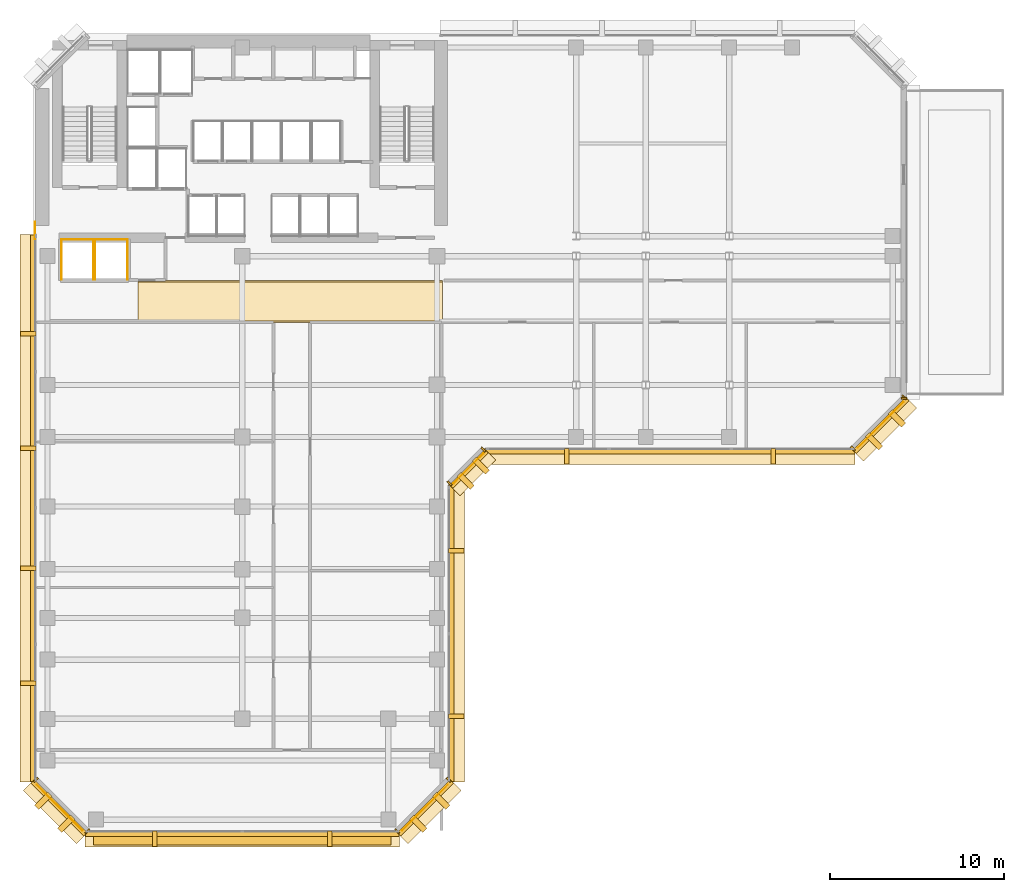
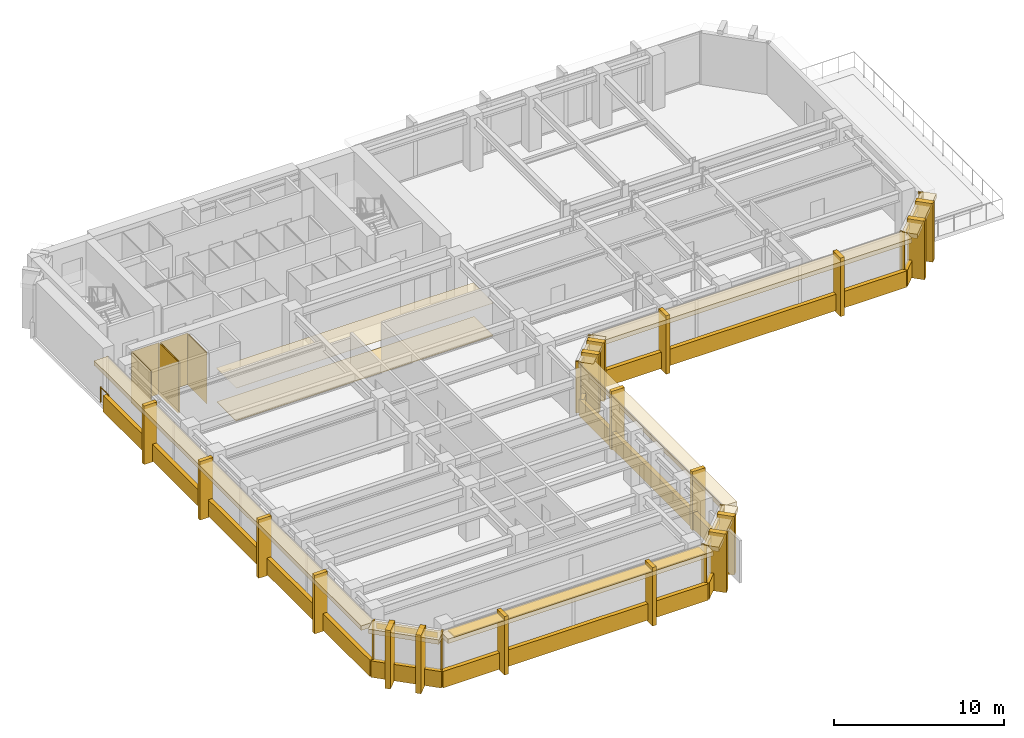
# One storey, part 9 of 12: 55 coverings, 1 railing, 1 shading device.
"""IFC4 building model written with IfcOpenShell, lengths in metres."""

from ifc_helpers import new_model, si_unit, direction, frame, origin, origin_2d, place, context, subcontext, project, spatial, polyline, rectangle, circle, outline, extrude, material, layer, layer_set, type_object, element, save


model = new_model("IFC4")

# Units and contexts
model_context = context("Model", 3, precision=1e-05, world=origin(), true_north=direction((0.0, 1.0)))
body_context = subcontext(model_context, "Body", "Model", "MODEL_VIEW")
ifc_project = project(units=[si_unit("LENGTHUNIT", "METRE"), si_unit("AREAUNIT", "SQUARE_METRE"), si_unit("VOLUMEUNIT", "CUBIC_METRE"), si_unit("PLANEANGLEUNIT", "RADIAN"), si_unit("MASSUNIT", "GRAM", prefix="KILO")], contexts=[model_context])

# Site, building, storey
site_placement = place(None, origin())
site = spatial("IfcSite", under=ifc_project, at=site_placement, CompositionType="ELEMENT")
building_placement = place(site_placement, origin())
building = spatial("IfcBuilding", under=site, at=building_placement, Name="Kefirva Bronze Tower", CompositionType="ELEMENT")
storey_placement = place(building_placement, frame((0.0, 0.0, 110.550048828125)))
storey = spatial("IfcBuildingStorey", under=building, at=storey_placement, Name="L26", CompositionType="ELEMENT", Elevation=110.550048828125)

# Coverings
ifc_material_1 = material(Name="Acoustic mineral tile")
ifc_layer_1 = layer(ifc_material_1, 0.02490234375, Name="Acoustic mineral tile")
ifc_layer_set_1 = layer_set([ifc_layer_1], Name="Acoustic mineral tile")
covering_type_1 = type_object("IfcCoveringType", Name="Acoustic Mineral Suspended Ceiling 25mm", PredefinedType="CEILING", material=ifc_layer_set_1)
covering_1_placement = place(storey_placement, frame((0.0, 0.0, 2.39990234375)))
element("IfcCovering", 1, at=covering_1_placement, inside=storey, type_object=covering_type_1, Name="L26 Corridor Acoustic Ceiling", PredefinedType="CEILING", context=body_context, shape_type="SweptSolid", body=[
    extrude(outline(polyline([(6.0, 29.39990234375), (23.5, 29.39990234375), (23.5, 31.800048828125), (6.0, 31.800048828125), (6.0, 29.39990234375)])), origin(), (0.0, 0.0, 1.0), 0.025146484375),
])
ifc_material_2 = material(Name="Bronze anodised aluminium", Category="aluminium")
ifc_layer_2 = layer(ifc_material_2, 0.02001953125, Name="Bronze anodised aluminium")
ifc_layer_set_2 = layer_set([ifc_layer_2], Name="Bronze anodised aluminium")
covering_type_2 = type_object("IfcCoveringType", Name="Anodised Bronze Spandrel Cladding 20mm", PredefinedType="CLADDING", material=ifc_layer_set_2)
covering_2_placement = place(storey_placement, frame((12.0, -0.0400390625, -0.16015625), z_axis=(0.0, 0.0, 1.0), x_axis=(1.0, 0.0, 0.0)))
element("IfcCovering", 2, at=covering_2_placement, inside=storey, type_object=covering_type_2, Name="L26 Streamline Horizontal Spandrel Band 0", PredefinedType="CLADDING", context=body_context, shape_type="SweptSolid", body=[
    extrude(rectangle(XDim=18.0400390625, YDim=0.280029296875, at=origin_2d()), origin(), (0.0, 0.0, 1.0), 1.179931640625),
])
covering_3_placement = place(storey_placement, frame((22.507080078125, 1.492919921875, 3.2900390625), z_axis=(0.0, 0.0, 1.0), x_axis=(0.707106781187, 0.707106781187, 0.0)))
element("IfcCovering", 3, at=covering_3_placement, inside=storey, type_object=covering_type_2, Name="L26 Bronze Spandrel Cladding 1", PredefinedType="CLADDING", context=body_context, shape_type="SweptSolid", body=[
    extrude(rectangle(XDim=3.719482421875, YDim=0.02001953125, at=origin_2d()), origin(), (0.0, 0.0, 1.0), 0.39990234375),
])
for number, where, z_axis, x_axis, name in (
    (4, (20.91162109375, 0.137939453125, 0.0), (0.0, 0.0, 1.0), (0.707106781187, 0.707106781187, 0.0), "L26 Facade Joint Closure Panel 1S"),
    (5, (23.862060546875, 3.08837890625, 0.0), (0.0, 0.0, 1.0), (0.707106781187, 0.707106781187, 0.0), "L26 Facade Joint Closure Panel 1E"),
):
    element("IfcCovering", number, at=place(storey_placement, frame(where, z_axis=z_axis, x_axis=x_axis)), inside=storey, type_object=covering_type_2, Name=name, PredefinedType="CLADDING", context=body_context, shape_type="SweptSolid", body=[
        extrude(rectangle(XDim=0.10009765625, YDim=0.320068359375, at=origin_2d()), origin(), (0.0, 0.0, 1.0), 3.7099609375),
    ])
covering_4_placement = place(storey_placement, frame((22.5283203125, 1.4716796875, -0.16015625), z_axis=(0.0, 0.0, 1.0), x_axis=(0.707106781187, 0.707106781187, 0.0)))
element("IfcCovering", 6, at=covering_4_placement, inside=storey, type_object=covering_type_2, Name="L26 Streamline Horizontal Spandrel Band 1", PredefinedType="CLADDING", context=body_context, shape_type="SweptSolid", body=[
    extrude(rectangle(XDim=4.28271484375, YDim=0.280029296875, at=origin_2d()), origin(), (0.0, 0.0, 1.0), 1.179931640625),
])
covering_5_placement = place(storey_placement, frame((24.0400390625, 11.5, -0.16015625), z_axis=(0.0, 0.0, 1.0), x_axis=(0.0, 1.0, 0.0)))
element("IfcCovering", 7, at=covering_5_placement, inside=storey, type_object=covering_type_2, Name="L26 Streamline Horizontal Spandrel Band 2", PredefinedType="CLADDING", context=body_context, shape_type="SweptSolid", body=[
    extrude(rectangle(XDim=17.0400390625, YDim=0.280029296875, at=origin_2d()), origin(), (0.0, 0.0, 1.0), 1.179931640625),
])
covering_6_placement = place(storey_placement, frame((25.007080078125, 20.992919921875, 3.2900390625), z_axis=(0.0, 0.0, 1.0), x_axis=(0.707106781187, 0.707106781187, 0.0)))
element("IfcCovering", 8, at=covering_6_placement, inside=storey, type_object=covering_type_2, Name="L26 Bronze Spandrel Cladding 2", PredefinedType="CLADDING", context=body_context, shape_type="SweptSolid", body=[
    extrude(rectangle(XDim=2.446533203125, YDim=0.02001953125, at=origin_2d()), origin(), (0.0, 0.0, 1.0), 0.39990234375),
])
for number, where, z_axis, x_axis, name in (
    (9, (23.91162109375, 20.137939453125, 0.0), (0.0, 0.0, 1.0), (0.707106781187, 0.707106781187, 0.0), "L26 Facade Joint Closure Panel 2S"),
    (10, (25.862060546875, 22.08837890625, 0.0), (0.0, 0.0, 1.0), (0.707106781187, 0.707106781187, 0.0), "L26 Facade Joint Closure Panel 2E"),
):
    element("IfcCovering", number, at=place(storey_placement, frame(where, z_axis=z_axis, x_axis=x_axis)), inside=storey, type_object=covering_type_2, Name=name, PredefinedType="CLADDING", context=body_context, shape_type="SweptSolid", body=[
        extrude(rectangle(XDim=0.10009765625, YDim=0.320068359375, at=origin_2d()), origin(), (0.0, 0.0, 1.0), 3.7099609375),
    ])
covering_7_placement = place(storey_placement, frame((25.0283203125, 20.9716796875, -0.16015625), z_axis=(0.0, 0.0, 1.0), x_axis=(0.707106781187, 0.707106781187, 0.0)))
element("IfcCovering", 11, at=covering_7_placement, inside=storey, type_object=covering_type_2, Name="L26 Streamline Horizontal Spandrel Band 3", PredefinedType="CLADDING", context=body_context, shape_type="SweptSolid", body=[
    extrude(rectangle(XDim=2.868408203125, YDim=0.280029296875, at=origin_2d()), origin(), (0.0, 0.0, 1.0), 1.179931640625),
])
covering_8_placement = place(storey_placement, frame((36.60009765625, 21.9599609375, -0.16015625), z_axis=(0.0, 0.0, 1.0), x_axis=(1.0, 0.0, 0.0)))
element("IfcCovering", 12, at=covering_8_placement, inside=storey, type_object=covering_type_2, Name="L26 Streamline Horizontal Spandrel Band 4", PredefinedType="CLADDING", context=body_context, shape_type="SweptSolid", body=[
    extrude(rectangle(XDim=21.239990234375, YDim=0.280029296875, at=origin_2d()), origin(), (0.0, 0.0, 1.0), 1.179931640625),
])
covering_9_placement = place(storey_placement, frame((48.70703125, 23.492919921875, 3.2900390625), z_axis=(0.0, 0.0, 1.0), x_axis=(0.707106781187, 0.707106781187, 0.0)))
element("IfcCovering", 13, at=covering_9_placement, inside=storey, type_object=covering_type_2, Name="L26 Bronze Spandrel Cladding 3", PredefinedType="CLADDING", context=body_context, shape_type="SweptSolid", body=[
    extrude(rectangle(XDim=3.719482421875, YDim=0.02001953125, at=origin_2d()), origin(), (0.0, 0.0, 1.0), 0.39990234375),
])
for number, where, z_axis, x_axis, name in (
    (14, (47.11181640625, 22.137939453125, 0.0), (0.0, 0.0, 1.0), (0.707106781187, 0.707106781187, 0.0), "L26 Facade Joint Closure Panel 3S"),
    (15, (50.06201171875, 25.08837890625, 0.0), (0.0, 0.0, 1.0), (0.707106781187, 0.707106781187, 0.0), "L26 Facade Joint Closure Panel 3E"),
):
    element("IfcCovering", number, at=place(storey_placement, frame(where, z_axis=z_axis, x_axis=x_axis)), inside=storey, type_object=covering_type_2, Name=name, PredefinedType="CLADDING", context=body_context, shape_type="SweptSolid", body=[
        extrude(rectangle(XDim=0.10009765625, YDim=0.320068359375, at=origin_2d()), origin(), (0.0, 0.0, 1.0), 3.7099609375),
    ])
covering_10_placement = place(storey_placement, frame((48.728271484375, 23.4716796875, -0.16015625), z_axis=(0.0, 0.0, 1.0), x_axis=(0.707106781187, 0.707106781187, 0.0)))
element("IfcCovering", 16, at=covering_10_placement, inside=storey, type_object=covering_type_2, Name="L26 Streamline Horizontal Spandrel Band 5", PredefinedType="CLADDING", context=body_context, shape_type="SweptSolid", body=[
    extrude(rectangle(XDim=4.28271484375, YDim=0.280029296875, at=origin_2d()), origin(), (0.0, 0.0, 1.0), 1.179931640625),
])
covering_11_placement = place(storey_placement, frame((50.0400390625, 25.034912109375, 0.0), z_axis=(0.0, 0.0, 1.0), x_axis=(0.0, 1.0, 0.0)))
element("IfcCovering", 17, at=covering_11_placement, inside=storey, type_object=covering_type_2, Name="L26 Facade Joint Closure Panel 4S", PredefinedType="CLADDING", context=body_context, shape_type="SweptSolid", body=[
    extrude(rectangle(XDim=0.10009765625, YDim=0.320068359375, at=origin_2d()), origin(), (0.0, 0.0, 1.0), 3.7099609375),
])
covering_12_placement = place(storey_placement, frame((-0.0400390625, 18.697509765625, -0.16015625), z_axis=(0.0, 0.0, 1.0), x_axis=(0.0, -1.0, 0.0)))
element("IfcCovering", 18, at=covering_12_placement, inside=storey, type_object=covering_type_2, Name="L26 Streamline Horizontal Spandrel Band 10", PredefinedType="CLADDING", context=body_context, shape_type="SweptSolid", body=[
    extrude(rectangle(XDim=31.43505859375, YDim=0.280029296875, at=origin_2d()), origin(), (0.0, 0.0, 1.0), 1.179931640625),
])
covering_13_placement = place(storey_placement, frame((1.492919921875, 1.492919921875, 3.2900390625), z_axis=(0.0, 0.0, 1.0), x_axis=(0.707106781187, -0.707106781187, 0.0)))
element("IfcCovering", 19, at=covering_13_placement, inside=storey, type_object=covering_type_2, Name="L26 Bronze Spandrel Cladding 7", PredefinedType="CLADDING", context=body_context, shape_type="SweptSolid", body=[
    extrude(rectangle(XDim=3.719482421875, YDim=0.02001953125, at=origin_2d()), origin(), (0.0, 0.0, 1.0), 0.39990234375),
])
for number, where, z_axis, x_axis, name in (
    (20, (0.137939453125, 3.08837890625, 0.0), (0.0, 0.0, 1.0), (0.707106781187, -0.707106781187, 0.0), "L26 Facade Joint Closure Panel 7S"),
    (21, (3.08837890625, 0.137939453125, 0.0), (0.0, 0.0, 1.0), (0.707106781187, -0.707106781187, 0.0), "L26 Facade Joint Closure Panel 7E"),
):
    element("IfcCovering", number, at=place(storey_placement, frame(where, z_axis=z_axis, x_axis=x_axis)), inside=storey, type_object=covering_type_2, Name=name, PredefinedType="CLADDING", context=body_context, shape_type="SweptSolid", body=[
        extrude(rectangle(XDim=0.10009765625, YDim=0.320068359375, at=origin_2d()), origin(), (0.0, 0.0, 1.0), 3.7099609375),
    ])
covering_14_placement = place(storey_placement, frame((1.4716796875, 1.4716796875, -0.16015625), z_axis=(0.0, 0.0, 1.0), x_axis=(0.707106781187, -0.707106781187, 0.0)))
element("IfcCovering", 22, at=covering_14_placement, inside=storey, type_object=covering_type_2, Name="L26 Streamline Horizontal Spandrel Band 11", PredefinedType="CLADDING", context=body_context, shape_type="SweptSolid", body=[
    extrude(rectangle(XDim=4.28271484375, YDim=0.280029296875, at=origin_2d()), origin(), (0.0, 0.0, 1.0), 1.179931640625),
])
covering_15_placement = place(storey_placement, origin())
element("IfcCovering", 23, at=covering_15_placement, inside=storey, type_object=covering_type_2, Name="L26 Lift OB1 Hoistway Liner N", PredefinedType="CLADDING", context=body_context, shape_type="SweptSolid", body=[
    extrude(outline(polyline([(1.580078125, 34.139892578125), (3.469970703125, 34.139892578125), (3.469970703125, 34.159912109375), (1.580078125, 34.159912109375), (1.580078125, 34.139892578125)])), origin(), (0.0, 0.0, 1.0), 3.7099609375),
])
covering_16_placement = place(storey_placement, origin())
element("IfcCovering", 24, at=covering_16_placement, inside=storey, type_object=covering_type_2, Name="L26 Lift OB1 Hoistway Liner W", PredefinedType="CLADDING", context=body_context, shape_type="SweptSolid", body=[
    extrude(outline(polyline([(1.590087890625, 31.830078125), (1.610107421875, 31.830078125), (1.610107421875, 34.169921875), (1.590087890625, 34.169921875), (1.590087890625, 31.830078125)])), origin(), (0.0, 0.0, 1.0), 3.7099609375),
])
covering_17_placement = place(storey_placement, origin())
element("IfcCovering", 25, at=covering_17_placement, inside=storey, type_object=covering_type_2, Name="L26 Lift OB1 Hoistway Liner E", PredefinedType="CLADDING", context=body_context, shape_type="SweptSolid", body=[
    extrude(outline(polyline([(3.43994140625, 31.830078125), (3.4599609375, 31.830078125), (3.4599609375, 34.169921875), (3.43994140625, 34.169921875), (3.43994140625, 31.830078125)])), origin(), (0.0, 0.0, 1.0), 3.7099609375),
])
covering_18_placement = place(storey_placement, origin())
element("IfcCovering", 26, at=covering_18_placement, inside=storey, type_object=covering_type_2, Name="L26 Lift OB2 Hoistway Liner N", PredefinedType="CLADDING", context=body_context, shape_type="SweptSolid", body=[
    extrude(outline(polyline([(3.530029296875, 34.139892578125), (5.419921875, 34.139892578125), (5.419921875, 34.159912109375), (3.530029296875, 34.159912109375), (3.530029296875, 34.139892578125)])), origin(), (0.0, 0.0, 1.0), 3.7099609375),
])
covering_19_placement = place(storey_placement, origin())
element("IfcCovering", 27, at=covering_19_placement, inside=storey, type_object=covering_type_2, Name="L26 Lift OB2 Hoistway Liner W", PredefinedType="CLADDING", context=body_context, shape_type="SweptSolid", body=[
    extrude(outline(polyline([(3.5400390625, 31.830078125), (3.56005859375, 31.830078125), (3.56005859375, 34.169921875), (3.5400390625, 34.169921875), (3.5400390625, 31.830078125)])), origin(), (0.0, 0.0, 1.0), 3.7099609375),
])
covering_20_placement = place(storey_placement, origin())
element("IfcCovering", 28, at=covering_20_placement, inside=storey, type_object=covering_type_2, Name="L26 Lift OB2 Hoistway Liner E", PredefinedType="CLADDING", context=body_context, shape_type="SweptSolid", body=[
    extrude(outline(polyline([(5.389892578125, 31.830078125), (5.409912109375, 31.830078125), (5.409912109375, 34.169921875), (5.389892578125, 34.169921875), (5.389892578125, 31.830078125)])), origin(), (0.0, 0.0, 1.0), 3.7099609375),
])

# Shading device
ifc_layer_3 = layer(ifc_material_2, 0.090087890625, Name="Bronze anodised aluminium")
ifc_layer_set_3 = layer_set([ifc_layer_3], Name="Bronze anodised aluminium")
shading_device_type = type_object("IfcShadingDeviceType", Name="Horizontal Bronze Sunshade Band 750mm", PredefinedType="JALOUSIE", material=ifc_layer_set_3)
shading_device_placement = place(storey_placement, frame((12.0, -0.294921875, 3.60498046875), z_axis=(0.0, 0.0, 1.0), x_axis=(1.0, 0.0, 0.0)))
element("IfcShadingDevice", 29, at=shading_device_placement, inside=storey, type_object=shading_device_type, Name="L26 Horizontal Bronze Sunshade Band 0", PredefinedType="JALOUSIE", context=body_context, shape_type="SweptSolid", body=[
    extrude(rectangle(XDim=17.090087890625, YDim=0.75, at=origin_2d()), origin(), (0.0, 0.0, 1.0), 0.090087890625),
])

# Railing
ifc_material_3 = material(Name="Stainless steel 316", Category="steel")
railing_type = type_object("IfcRailingType", Name="Interior Stair Guardrail 1100mm", PredefinedType="GUARDRAIL", material=ifc_material_3)
railing_placement = place(storey_placement, frame((0.080078125, 34.199951171875, 0.0)))
element("IfcRailing", 30, at=railing_placement, inside=storey, type_object=railing_type, Name="L26 West Core Junction Guardrail", PredefinedType="GUARDRAIL", context=body_context, shape_type="SweptSolid", body=[
    extrude(circle(Radius=0.02392578125, at=origin_2d()), frame((0.0, 0.0, 1.076171875), z_axis=(0.0, 1.0, 0.0), x_axis=(-1.0, 0.0, 0.0)), (0.0, 0.0, 1.0), 0.949951171875),
    extrude(circle(Radius=0.02099609375, at=origin_2d()), origin(), (0.0, 0.0, 1.0), 1.052001953125),
    extrude(circle(Radius=0.02099609375, at=origin_2d()), frame((0.0, 0.949951171875, 0.0)), (0.0, 0.0, 1.0), 1.052001953125),
])

# Coverings
ifc_material_4 = material(Name="Calcium sulphate access tile")
ifc_layer_4 = layer(ifc_material_4, 0.044921875, Name="Calcium sulphate access tile")
ifc_layer_set_4 = layer_set([ifc_layer_4], Name="Calcium sulphate access tile")
covering_type_3 = type_object("IfcCoveringType", Name="Raised Access Office Flooring 45mm", PredefinedType="FLOORING", material=ifc_layer_set_4)
covering_21_placement = place(storey_placement, origin())
element("IfcCovering", 31, at=covering_21_placement, inside=storey, type_object=covering_type_3, Name="L26 Architectural Finish Flooring", PredefinedType="FLOORING", context=body_context, shape_type="SweptSolid", body=[
    extrude(outline(polyline([(6.0, 29.47998046875), (23.5, 29.47998046875), (23.5, 31.719970703125), (6.0, 31.719970703125), (6.0, 29.47998046875)])), origin(), (0.0, 0.0, 1.0), 0.044921875),
])
ifc_layer_5 = layer(ifc_material_2, 0.179931640625, Name="Bronze anodised aluminium")
ifc_layer_set_5 = layer_set([ifc_layer_5], Name="Bronze anodised aluminium")
covering_type_4 = type_object("IfcCoveringType", Name="Streamline Bronze Sunshade Eyebrow Cladding 180mm", PredefinedType="CLADDING", material=ifc_layer_set_5)
covering_22_placement = place(storey_placement, frame((12.0, -0.31005859375, 3.39013671875), z_axis=(0.0, 0.0, 1.0), x_axis=(1.0, 0.0, 0.0)))
element("IfcCovering", 32, at=covering_22_placement, inside=storey, type_object=covering_type_4, Name="L26 Streamline Bronze Sunshade Eyebrow 0", PredefinedType="CLADDING", context=body_context, shape_type="SweptSolid", body=[
    extrude(rectangle(XDim=18.080078125, YDim=0.93994140625, at=origin_2d()), origin(), (0.0, 0.0, 1.0), 0.320068359375),
])
covering_23_placement = place(storey_placement, frame((22.71923828125, 1.28076171875, 3.39013671875), z_axis=(0.0, 0.0, 1.0), x_axis=(0.707106781187, 0.707106781187, 0.0)))
element("IfcCovering", 33, at=covering_23_placement, inside=storey, type_object=covering_type_4, Name="L26 Streamline Bronze Sunshade Eyebrow 1", PredefinedType="CLADDING", context=body_context, shape_type="SweptSolid", body=[
    extrude(rectangle(XDim=4.322509765625, YDim=0.93994140625, at=origin_2d()), origin(), (0.0, 0.0, 1.0), 0.320068359375),
])
covering_24_placement = place(storey_placement, frame((24.31005859375, 11.5, 3.39013671875), z_axis=(0.0, 0.0, 1.0), x_axis=(0.0, 1.0, 0.0)))
element("IfcCovering", 34, at=covering_24_placement, inside=storey, type_object=covering_type_4, Name="L26 Streamline Bronze Sunshade Eyebrow 2", PredefinedType="CLADDING", context=body_context, shape_type="SweptSolid", body=[
    extrude(rectangle(XDim=17.080078125, YDim=0.93994140625, at=origin_2d()), origin(), (0.0, 0.0, 1.0), 0.320068359375),
])
covering_25_placement = place(storey_placement, frame((25.21923828125, 20.78076171875, 3.39013671875), z_axis=(0.0, 0.0, 1.0), x_axis=(0.707106781187, 0.707106781187, 0.0)))
element("IfcCovering", 35, at=covering_25_placement, inside=storey, type_object=covering_type_4, Name="L26 Streamline Bronze Sunshade Eyebrow 3", PredefinedType="CLADDING", context=body_context, shape_type="SweptSolid", body=[
    extrude(rectangle(XDim=2.908447265625, YDim=0.93994140625, at=origin_2d()), origin(), (0.0, 0.0, 1.0), 0.320068359375),
])
covering_26_placement = place(storey_placement, frame((36.60009765625, 21.68994140625, 3.39013671875), z_axis=(0.0, 0.0, 1.0), x_axis=(1.0, 0.0, 0.0)))
element("IfcCovering", 36, at=covering_26_placement, inside=storey, type_object=covering_type_4, Name="L26 Streamline Bronze Sunshade Eyebrow 4", PredefinedType="CLADDING", context=body_context, shape_type="SweptSolid", body=[
    extrude(rectangle(XDim=21.280029296875, YDim=0.93994140625, at=origin_2d()), origin(), (0.0, 0.0, 1.0), 0.320068359375),
])
covering_27_placement = place(storey_placement, frame((48.919189453125, 23.28076171875, 3.39013671875), z_axis=(0.0, 0.0, 1.0), x_axis=(0.707106781187, 0.707106781187, 0.0)))
element("IfcCovering", 37, at=covering_27_placement, inside=storey, type_object=covering_type_4, Name="L26 Streamline Bronze Sunshade Eyebrow 5", PredefinedType="CLADDING", context=body_context, shape_type="SweptSolid", body=[
    extrude(rectangle(XDim=4.322509765625, YDim=0.93994140625, at=origin_2d()), origin(), (0.0, 0.0, 1.0), 0.320068359375),
])
covering_28_placement = place(storey_placement, frame((-0.31005859375, 18.697509765625, 3.39013671875), z_axis=(0.0, 0.0, 1.0), x_axis=(0.0, -1.0, 0.0)))
element("IfcCovering", 38, at=covering_28_placement, inside=storey, type_object=covering_type_4, Name="L26 Streamline Bronze Sunshade Eyebrow 10", PredefinedType="CLADDING", context=body_context, shape_type="SweptSolid", body=[
    extrude(rectangle(XDim=31.47509765625, YDim=0.93994140625, at=origin_2d()), origin(), (0.0, 0.0, 1.0), 0.320068359375),
])
covering_29_placement = place(storey_placement, frame((1.28076171875, 1.28076171875, 3.39013671875), z_axis=(0.0, 0.0, 1.0), x_axis=(0.707106781187, -0.707106781187, 0.0)))
element("IfcCovering", 39, at=covering_29_placement, inside=storey, type_object=covering_type_4, Name="L26 Streamline Bronze Sunshade Eyebrow 11", PredefinedType="CLADDING", context=body_context, shape_type="SweptSolid", body=[
    extrude(rectangle(XDim=4.322509765625, YDim=0.93994140625, at=origin_2d()), origin(), (0.0, 0.0, 1.0), 0.320068359375),
])
ifc_layer_6 = layer(ifc_material_2, 0.260009765625, Name="Bronze anodised aluminium")
ifc_layer_set_6 = layer_set([ifc_layer_6], Name="Bronze anodised aluminium")
covering_type_5 = type_object("IfcCoveringType", Name="Unbroken Bronze Buttress Fin Cladding 260mm", PredefinedType="CLADDING", material=ifc_layer_set_6)
for number, where, z_axis, x_axis, name in (
    (40, (6.9599609375, -0.300048828125, -0.25), (0.0, 0.0, 1.0), (1.0, 0.0, 0.0), "L26 Unbroken Vertical Bronze Rib Fin 1"),
    (41, (17.0400390625, -0.300048828125, -0.25), (0.0, 0.0, 1.0), (1.0, 0.0, 0.0), "L26 Unbroken Vertical Bronze Rib Fin 2"),
):
    element("IfcCovering", number, at=place(storey_placement, frame(where, z_axis=z_axis, x_axis=x_axis)), inside=storey, type_object=covering_type_5, Name=name, PredefinedType="CLADDING", context=body_context, shape_type="SweptSolid", body=[
        extrude(rectangle(XDim=0.260009765625, YDim=0.8798828125, at=origin_2d()), origin(), (0.0, 0.0, 1.0), 4.2099609375),
    ])
for number, where, z_axis, x_axis, name in (
    (42, (22.122802734375, 0.55712890625, -0.25), (0.0, 0.0, 1.0), (0.707106781187, 0.707106781187, 0.0), "L26 Chamfered Corner Buttress Fin Cladding 3"),
    (43, (23.44287109375, 1.877197265625, -0.25), (0.0, 0.0, 1.0), (0.707106781187, 0.707106781187, 0.0), "L26 Chamfered Corner Buttress Fin Cladding 4"),
):
    element("IfcCovering", number, at=place(storey_placement, frame(where, z_axis=z_axis, x_axis=x_axis)), inside=storey, type_object=covering_type_5, Name=name, PredefinedType="CLADDING", context=body_context, shape_type="SweptSolid", body=[
        extrude(rectangle(XDim=0.340087890625, YDim=1.080078125, at=origin_2d()), origin(), (0.0, 0.0, 1.0), 4.2099609375),
    ])
for number, where, z_axis, x_axis, name in (
    (44, (24.300048828125, 6.739990234375, -0.25), (0.0, 0.0, 1.0), (0.0, 1.0, 0.0), "L26 Unbroken Vertical Bronze Rib Fin 5"),
    (45, (24.300048828125, 16.260009765625, -0.25), (0.0, 0.0, 1.0), (0.0, 1.0, 0.0), "L26 Unbroken Vertical Bronze Rib Fin 6"),
):
    element("IfcCovering", number, at=place(storey_placement, frame(where, z_axis=z_axis, x_axis=x_axis)), inside=storey, type_object=covering_type_5, Name=name, PredefinedType="CLADDING", context=body_context, shape_type="SweptSolid", body=[
        extrude(rectangle(XDim=0.260009765625, YDim=0.8798828125, at=origin_2d()), origin(), (0.0, 0.0, 1.0), 4.2099609375),
    ])
for number, where, z_axis, x_axis, name in (
    (46, (24.8427734375, 20.277099609375, -0.25), (0.0, 0.0, 1.0), (0.707106781187, 0.707106781187, 0.0), "L26 Chamfered Corner Buttress Fin Cladding 7"),
    (47, (25.722900390625, 21.1572265625, -0.25), (0.0, 0.0, 1.0), (0.707106781187, 0.707106781187, 0.0), "L26 Chamfered Corner Buttress Fin Cladding 8"),
):
    element("IfcCovering", number, at=place(storey_placement, frame(where, z_axis=z_axis, x_axis=x_axis)), inside=storey, type_object=covering_type_5, Name=name, PredefinedType="CLADDING", context=body_context, shape_type="SweptSolid", body=[
        extrude(rectangle(XDim=0.340087890625, YDim=1.080078125, at=origin_2d()), origin(), (0.0, 0.0, 1.0), 4.2099609375),
    ])
for number, where, z_axis, x_axis, name in (
    (48, (30.6640625, 21.699951171875, -0.25), (0.0, 0.0, 1.0), (1.0, 0.0, 0.0), "L26 Unbroken Vertical Bronze Rib Fin 9"),
    (49, (42.535888671875, 21.699951171875, -0.25), (0.0, 0.0, 1.0), (1.0, 0.0, 0.0), "L26 Unbroken Vertical Bronze Rib Fin 10"),
):
    element("IfcCovering", number, at=place(storey_placement, frame(where, z_axis=z_axis, x_axis=x_axis)), inside=storey, type_object=covering_type_5, Name=name, PredefinedType="CLADDING", context=body_context, shape_type="SweptSolid", body=[
        extrude(rectangle(XDim=0.260009765625, YDim=0.8798828125, at=origin_2d()), origin(), (0.0, 0.0, 1.0), 4.2099609375),
    ])
for number, where, z_axis, x_axis, name in (
    (50, (48.32275390625, 22.55712890625, -0.25), (0.0, 0.0, 1.0), (0.707106781187, 0.707106781187, 0.0), "L26 Chamfered Corner Buttress Fin Cladding 11"),
    (51, (49.642822265625, 23.877197265625, -0.25), (0.0, 0.0, 1.0), (0.707106781187, 0.707106781187, 0.0), "L26 Chamfered Corner Buttress Fin Cladding 12"),
):
    element("IfcCovering", number, at=place(storey_placement, frame(where, z_axis=z_axis, x_axis=x_axis)), inside=storey, type_object=covering_type_5, Name=name, PredefinedType="CLADDING", context=body_context, shape_type="SweptSolid", body=[
        extrude(rectangle(XDim=0.340087890625, YDim=1.080078125, at=origin_2d()), origin(), (0.0, 0.0, 1.0), 4.2099609375),
    ])
for number, where, z_axis, x_axis, name in (
    (52, (-0.300048828125, 28.743896484375, -0.25), (0.0, 0.0, 1.0), (0.0, -1.0, 0.0), "L26 Unbroken Vertical Bronze Rib Fin 21"),
    (53, (-0.300048828125, 22.15087890625, -0.25), (0.0, 0.0, 1.0), (0.0, -1.0, 0.0), "L26 Unbroken Vertical Bronze Rib Fin 22"),
    (54, (-0.300048828125, 15.244140625, -0.25), (0.0, 0.0, 1.0), (0.0, -1.0, 0.0), "L26 Unbroken Vertical Bronze Rib Fin 23"),
    (55, (-0.300048828125, 8.651123046875, -0.25), (0.0, 0.0, 1.0), (0.0, -1.0, 0.0), "L26 Unbroken Vertical Bronze Rib Fin 24"),
):
    element("IfcCovering", number, at=place(storey_placement, frame(where, z_axis=z_axis, x_axis=x_axis)), inside=storey, type_object=covering_type_5, Name=name, PredefinedType="CLADDING", context=body_context, shape_type="SweptSolid", body=[
        extrude(rectangle(XDim=0.260009765625, YDim=0.8798828125, at=origin_2d()), origin(), (0.0, 0.0, 1.0), 4.2099609375),
    ])
for number, where, z_axis, x_axis, name in (
    (56, (0.55712890625, 1.877197265625, -0.25), (0.0, 0.0, 1.0), (0.707106781187, -0.707106781187, 0.0), "L26 Chamfered Corner Buttress Fin Cladding 25"),
    (57, (1.877197265625, 0.55712890625, -0.25), (0.0, 0.0, 1.0), (0.707106781187, -0.707106781187, 0.0), "L26 Chamfered Corner Buttress Fin Cladding 26"),
):
    element("IfcCovering", number, at=place(storey_placement, frame(where, z_axis=z_axis, x_axis=x_axis)), inside=storey, type_object=covering_type_5, Name=name, PredefinedType="CLADDING", context=body_context, shape_type="SweptSolid", body=[
        extrude(rectangle(XDim=0.340087890625, YDim=1.080078125, at=origin_2d()), origin(), (0.0, 0.0, 1.0), 4.2099609375),
    ])

save(model, "model.ifc")
